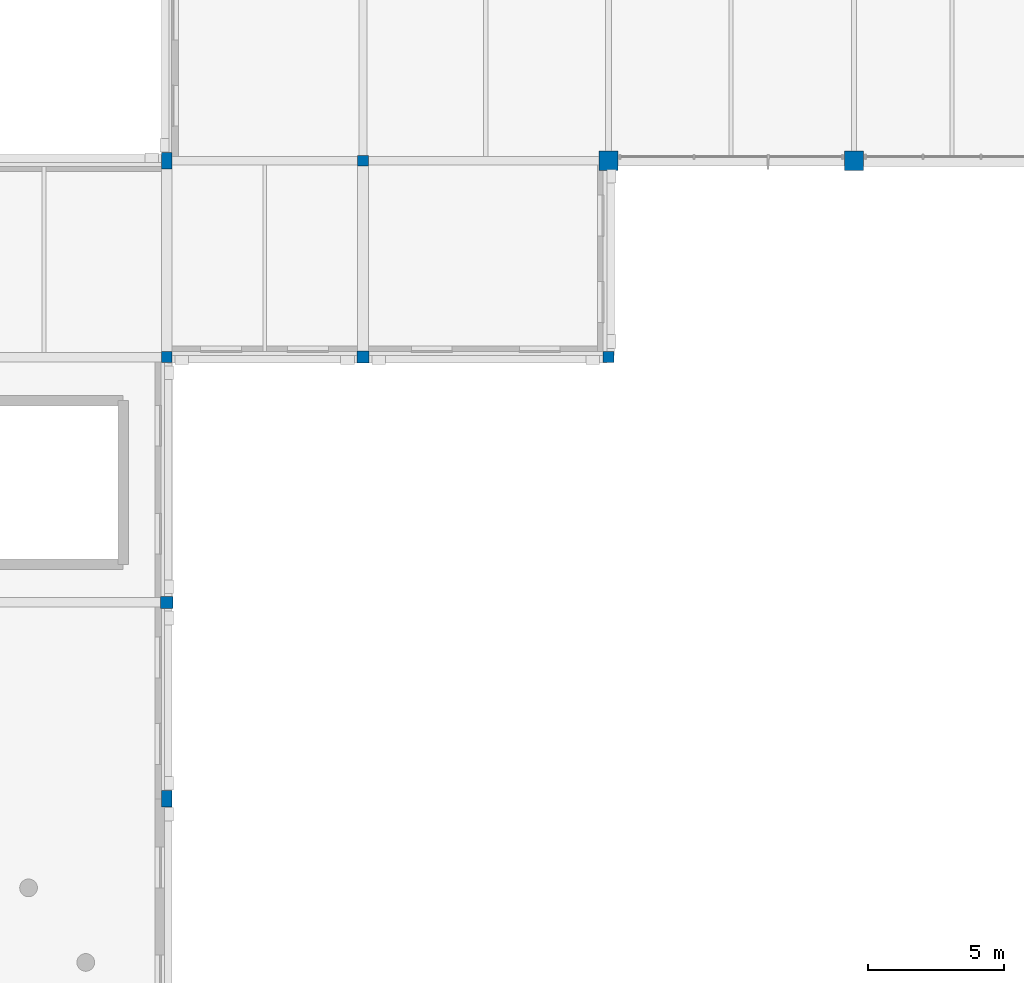
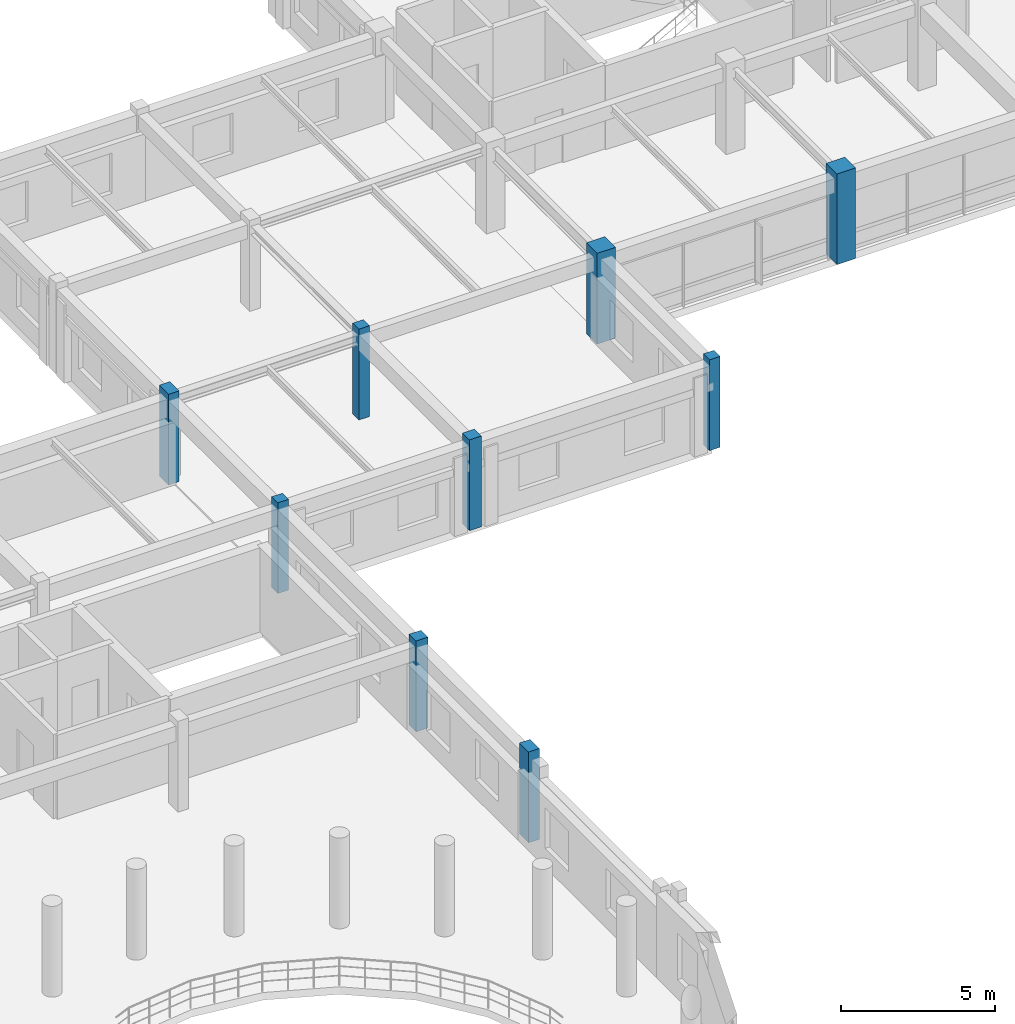
# One storey, part 8 of 52: 9 columns.
"""IFC4 building model written with IfcOpenShell, lengths in metres."""

from ifc_helpers import new_model, si_unit, direction, frame, origin, origin_2d, place, context, subcontext, project, spatial, rectangle, extrude, material, material_profile, profile_set, type_object, element, save


model = new_model("IFC4")

# Units and contexts
model_context = context("Model", 3, precision=1e-05, world=origin(), true_north=direction((0.0, 1.0)))
body_context = subcontext(model_context, "Body", "Model", "MODEL_VIEW")
ifc_project = project(units=[si_unit("LENGTHUNIT", "METRE"), si_unit("AREAUNIT", "SQUARE_METRE"), si_unit("VOLUMEUNIT", "CUBIC_METRE"), si_unit("PLANEANGLEUNIT", "RADIAN"), si_unit("MASSUNIT", "GRAM", prefix="KILO")], contexts=[model_context])

# Site, building, storey
site_placement = place(None, origin())
site = spatial("IfcSite", under=ifc_project, at=site_placement, CompositionType="ELEMENT")
building_placement = place(site_placement, origin())
building = spatial("IfcBuilding", under=site, at=building_placement, Name="Clarverna Civic Hall", CompositionType="ELEMENT")
storey_placement = place(building_placement, frame((0.0, 0.0, 16.800048828125)))
storey = spatial("IfcBuildingStorey", under=building, at=storey_placement, Name="L04", CompositionType="ELEMENT", Elevation=16.800048828125)

# Columns
ifc_material = material(Name="Concrete C35/45", Category="concrete")
ifc_material_profile_1 = material_profile(ifc_material, rectangle(XDim=0.449951171875, YDim=0.449951171875, at=origin_2d()), Name="RC 450x450")
ifc_profile_set_1 = profile_set([ifc_material_profile_1], Name="Concrete C35/45")
column_type_1 = type_object("IfcColumnType", Name="C-RC13", PredefinedType="COLUMN", material=ifc_profile_set_1)
for number, where, z_axis, x_axis, name in (
    (1, (97.199951171875, 78.800048828125, 0.0), (0.0, 0.0, 1.0), (1.0, 0.0, 0.0), "C-RC13-021"),
    (2, (104.39990234375, 87.800048828125, 0.0), (0.0, 0.0, 1.0), (1.0, 0.0, 0.0), "C-RC13-025"),
):
    element("IfcColumn", number, at=place(storey_placement, frame(where, z_axis=z_axis, x_axis=x_axis)), inside=storey, type_object=column_type_1, Name=name, PredefinedType="COLUMN", context=body_context, shape_type="SweptSolid", body=[
        extrude(rectangle(XDim=0.449951171875, YDim=0.449951171875, at=origin_2d()), origin(), (0.0, 0.0, 1.0), 3.599853515625),
    ])
ifc_material_profile_2 = material_profile(ifc_material, rectangle(XDim=0.39990234375, YDim=0.39990234375, at=origin_2d()), Name="RC 400x400")
ifc_profile_set_2 = profile_set([ifc_material_profile_2], Name="Concrete C35/45")
column_type_2 = type_object("IfcColumnType", Name="C-RC14", PredefinedType="COLUMN", material=ifc_profile_set_2)
for number, where, z_axis, x_axis, name in (
    (3, (97.199951171875, 87.800048828125, 0.0), (0.0, 0.0, 1.0), (1.0, 0.0, 0.0), "C-RC14-003"),
    (4, (104.39990234375, 95.0, 0.0), (0.0, 0.0, 1.0), (1.0, 0.0, 0.0), "C-RC14-005"),
    (5, (113.39990234375, 87.800048828125, 0.0), (0.0, 0.0, 1.0), (1.0, 0.0, 0.0), "C-RC14-006"),
):
    element("IfcColumn", number, at=place(storey_placement, frame(where, z_axis=z_axis, x_axis=x_axis)), inside=storey, type_object=column_type_2, Name=name, PredefinedType="COLUMN", context=body_context, shape_type="SweptSolid", body=[
        extrude(rectangle(XDim=0.39990234375, YDim=0.39990234375, at=origin_2d()), origin(), (0.0, 0.0, 1.0), 3.599853515625),
    ])
ifc_material_profile_3 = material_profile(ifc_material, rectangle(XDim=0.39990234375, YDim=0.60009765625, at=origin_2d()), Name="RC 400x600")
ifc_profile_set_3 = profile_set([ifc_material_profile_3], Name="Concrete C35/45")
column_type_3 = type_object("IfcColumnType", Name="C-RC19", PredefinedType="COLUMN", material=ifc_profile_set_3)
for number, where, z_axis, x_axis, name in (
    (6, (97.199951171875, 71.60009765625, 0.0), (0.0, 0.0, 1.0), (1.0, 0.0, 0.0), "C-RC19-004"),
    (7, (97.199951171875, 95.0, 0.0), (0.0, 0.0, 1.0), (1.0, 0.0, 0.0), "C-RC19-005"),
):
    element("IfcColumn", number, at=place(storey_placement, frame(where, z_axis=z_axis, x_axis=x_axis)), inside=storey, type_object=column_type_3, Name=name, PredefinedType="COLUMN", context=body_context, shape_type="SweptSolid", body=[
        extrude(rectangle(XDim=0.39990234375, YDim=0.60009765625, at=origin_2d()), origin(), (0.0, 0.0, 1.0), 3.599853515625),
    ])
ifc_material_profile_4 = material_profile(ifc_material, rectangle(XDim=0.699951171875, YDim=0.699951171875, at=origin_2d()), Name="RC 700x700")
ifc_profile_set_4 = profile_set([ifc_material_profile_4], Name="Concrete C35/45")
column_type_4 = type_object("IfcColumnType", Name="C-RC8", PredefinedType="COLUMN", material=ifc_profile_set_4)
for number, where, z_axis, x_axis, name in (
    (8, (113.39990234375, 95.0, 0.0), (0.0, 0.0, 1.0), (1.0, 0.0, 0.0), "C-RC8-045"),
    (9, (122.39990234375, 95.0, 0.0), (0.0, 0.0, 1.0), (1.0, 0.0, 0.0), "C-RC8-048"),
):
    element("IfcColumn", number, at=place(storey_placement, frame(where, z_axis=z_axis, x_axis=x_axis)), inside=storey, type_object=column_type_4, Name=name, PredefinedType="COLUMN", context=body_context, shape_type="SweptSolid", body=[
        extrude(rectangle(XDim=0.699951171875, YDim=0.699951171875, at=origin_2d()), origin(), (0.0, 0.0, 1.0), 3.599853515625),
    ])

save(model, "model.ifc")
